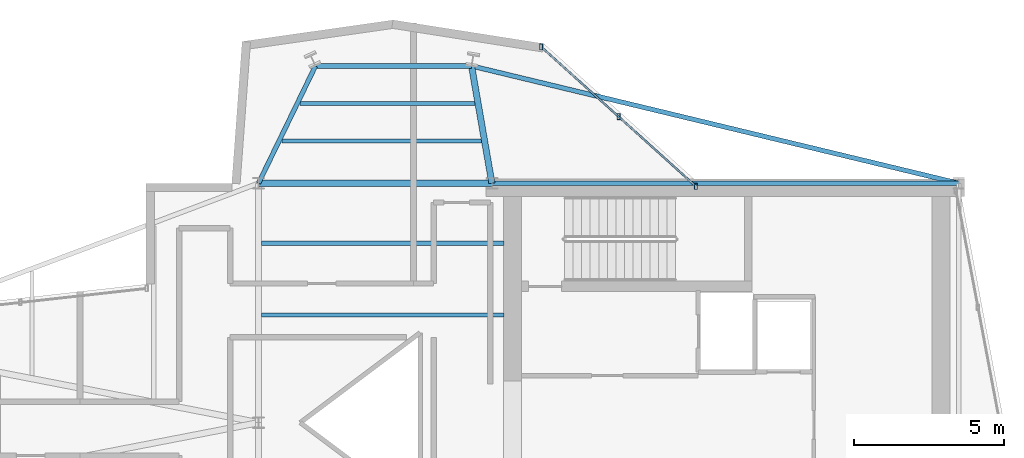
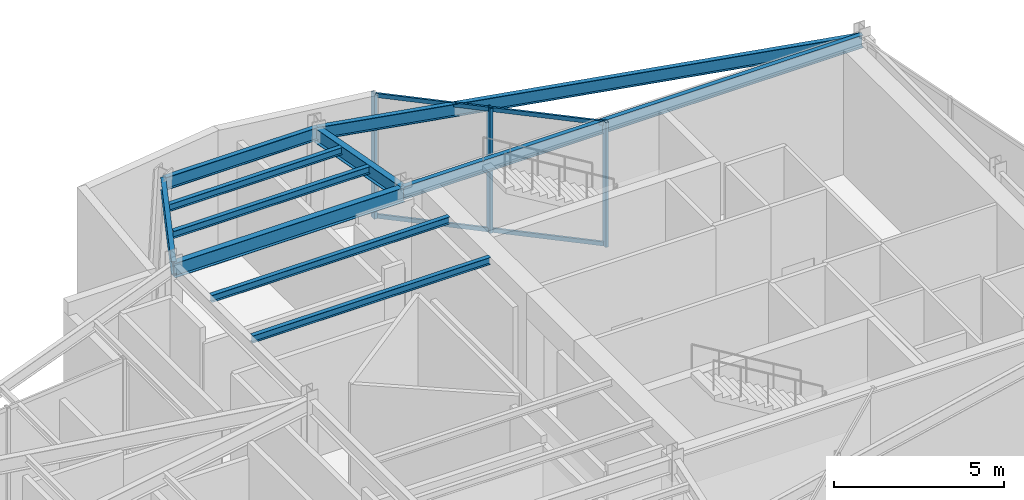
# One storey, part 5 of 11: 10 beams, 5 members, 1 element without a shape of its own.
"""IFC4 building model written with IfcOpenShell, lengths in metres."""

from ifc_helpers import new_model, si_unit, direction, frame, origin, origin_2d, place, context, subcontext, project, spatial, hollow_rectangle, i_section, extrude, material, layer, layer_set, material_profile, profile_set, type_object, element, aggregate, save


model = new_model("IFC4")

# Units and contexts
model_context = context("Model", 3, precision=1e-05, world=origin(), true_north=direction((0.0, 1.0)))
body_context = subcontext(model_context, "Body", "Model", "MODEL_VIEW")
ifc_project = project(units=[si_unit("LENGTHUNIT", "METRE"), si_unit("AREAUNIT", "SQUARE_METRE"), si_unit("VOLUMEUNIT", "CUBIC_METRE"), si_unit("PLANEANGLEUNIT", "RADIAN"), si_unit("MASSUNIT", "GRAM", prefix="KILO")], contexts=[model_context])

# Site, building, storey
site_placement = place(None, origin())
site = spatial("IfcSite", under=ifc_project, at=site_placement, CompositionType="ELEMENT")
building_placement = place(site_placement, origin())
building = spatial("IfcBuilding", under=site, at=building_placement, Name="Veymaron Broadcast Tower", CompositionType="ELEMENT")
storey_placement = place(building_placement, frame((0.0, 0.0, 327.60009765625)))
storey = spatial("IfcBuildingStorey", under=building, at=storey_placement, Name="L77", CompositionType="ELEMENT", Elevation=327.60009765625)

# Beams
ifc_material_1 = material(Name="Structural steel ASTM A992 Gr 50", Category="steel")
ifc_material_profile_1 = material_profile(ifc_material_1, i_section(OverallWidth=0.208984375, OverallDepth=0.528076171875, WebThickness=0.009521484375, FlangeThickness=0.01318359375, at=origin_2d()), Name="W530X82")
ifc_profile_set_1 = profile_set([ifc_material_profile_1], Name="Structural steel ASTM A992 Gr 50")
beam_type_1 = type_object("IfcBeamType", Name="BM-FG4", PredefinedType="BEAM", material=ifc_profile_set_1)
beam_1_placement = place(storey_placement, frame((31.199951171875, 32.0, 4.2158203125), z_axis=(1.0, 0.0, 0.0), x_axis=(0.0, 1.0, 0.0)))
element("IfcBeam", 1, at=beam_1_placement, inside=storey, type_object=beam_type_1, Name="L77 primary structural floor girder", PredefinedType="BEAM", context=body_context, shape_type="SweptSolid", body=[
    extrude(i_section(OverallWidth=0.208984375, OverallDepth=0.528076171875, WebThickness=0.009521484375, FlangeThickness=0.01318359375, at=origin_2d()), origin(), (0.0, 0.0, 1.0), 7.800048828125),
])
beam_2_placement = place(storey_placement, frame((39.0, 32.0, 4.2158203125), z_axis=(-0.170903490874, 0.985287773601, 0.0), x_axis=(-0.985287773601, -0.170903490874, 0.0)))
element("IfcBeam", 2, at=beam_2_placement, inside=storey, type_object=beam_type_1, Name="L77 primary structural floor girder", PredefinedType="BEAM", context=body_context, shape_type="SweptSolid", body=[
    extrude(i_section(OverallWidth=0.208984375, OverallDepth=0.528076171875, WebThickness=0.009521484375, FlangeThickness=0.01318359375, at=origin_2d()), origin(), (0.0, 0.0, 1.0), 3.978515625),
])
ifc_material_profile_2 = material_profile(ifc_material_1, i_section(OverallWidth=0.14599609375, OverallDepth=0.258056640625, WebThickness=0.006103515625, FlangeThickness=0.009033203125, at=origin_2d()), Name="W250X33")
ifc_profile_set_2 = profile_set([ifc_material_profile_2], Name="Structural steel ASTM A992 Gr 50")
beam_type_2 = type_object("IfcBeamType", Name="BM-JS4", PredefinedType="JOIST", material=ifc_profile_set_2)
beam_3_placement = place(storey_placement, frame((31.9853515625, 33.4111328125, 4.350830078125), z_axis=(1.0, 0.0, 0.0), x_axis=(0.0, 1.0, 0.0)))
element("IfcBeam", 3, at=beam_3_placement, inside=storey, type_object=beam_type_2, Name="L77 Arm-B secondary joist 1", PredefinedType="JOIST", context=body_context, shape_type="SweptSolid", body=[
    extrude(i_section(OverallWidth=0.14599609375, OverallDepth=0.258056640625, WebThickness=0.006103515625, FlangeThickness=0.009033203125, at=origin_2d()), origin(), (0.0, 0.0, 1.0), 6.669921875),
])
beam_4_placement = place(storey_placement, frame((32.5947265625, 34.66552734375, 4.350830078125), z_axis=(1.0, 0.0, 0.0), x_axis=(0.0, 1.0, 0.0)))
element("IfcBeam", 4, at=beam_4_placement, inside=storey, type_object=beam_type_2, Name="L77 Arm-B secondary joist 2", PredefinedType="JOIST", context=body_context, shape_type="SweptSolid", body=[
    extrude(i_section(OverallWidth=0.14599609375, OverallDepth=0.258056640625, WebThickness=0.006103515625, FlangeThickness=0.009033203125, at=origin_2d()), origin(), (0.0, 0.0, 1.0), 5.8427734375),
])
for number, where, z_axis, x_axis, name in (
    (5, (31.300048828125, 27.60009765625, 4.350830078125), (1.0, 0.0, 0.0), (0.0, 1.0, 0.0), "L77 Hub secondary joist 3"),
    (6, (31.300048828125, 30.0, 4.350830078125), (1.0, 0.0, 0.0), (0.0, 1.0, 0.0), "L77 Hub secondary joist 4"),
):
    element("IfcBeam", number, at=place(storey_placement, frame(where, z_axis=z_axis, x_axis=x_axis)), inside=storey, type_object=beam_type_2, Name=name, PredefinedType="JOIST", context=body_context, shape_type="SweptSolid", body=[
        extrude(i_section(OverallWidth=0.14599609375, OverallDepth=0.258056640625, WebThickness=0.006103515625, FlangeThickness=0.009033203125, at=origin_2d()), origin(), (0.0, 0.0, 1.0), 8.099853515625),
    ])
ifc_material_profile_3 = material_profile(ifc_material_1, i_section(OverallWidth=0.154052734375, OverallDepth=0.458984375, WebThickness=0.009033203125, FlangeThickness=0.015380859375, at=origin_2d()), Name="W460X68")
ifc_profile_set_3 = profile_set([ifc_material_profile_3], Name="Structural steel ASTM A992 Gr 50")
beam_type_3 = type_object("IfcBeamType", Name="BM-SP2", PredefinedType="SPANDREL", material=ifc_profile_set_3)
beam_5_placement = place(storey_placement, frame((39.0, 32.0, 4.25048828125), z_axis=(1.0, 0.0, 0.0), x_axis=(0.0, 1.0, 0.0)))
element("IfcBeam", 7, at=beam_5_placement, inside=storey, type_object=beam_type_3, Name="L77 primary structural floor girder", PredefinedType="SPANDREL", context=body_context, shape_type="SweptSolid", body=[
    extrude(i_section(OverallWidth=0.154052734375, OverallDepth=0.458984375, WebThickness=0.009033203125, FlangeThickness=0.015380859375, at=origin_2d()), origin(), (0.0, 0.0, 1.0), 15.60009765625),
])
beam_6_placement = place(storey_placement, frame((31.199951171875, 32.0, 4.25048828125), z_axis=(0.436920799064, 0.899499980737, 0.0), x_axis=(-0.899499980737, 0.436920799064, 0.0)))
element("IfcBeam", 8, at=beam_6_placement, inside=storey, type_object=beam_type_3, Name="L77 primary structural floor girder", PredefinedType="SPANDREL", context=body_context, shape_type="SweptSolid", body=[
    extrude(i_section(OverallWidth=0.154052734375, OverallDepth=0.458984375, WebThickness=0.009033203125, FlangeThickness=0.015380859375, at=origin_2d()), origin(), (0.0, 0.0, 1.0), 4.35791015625),
])
beam_7_placement = place(storey_placement, frame((54.60009765625, 32.0, 4.25048828125), z_axis=(-0.972214727981, 0.23409084283, 0.0), x_axis=(-0.23409084283, -0.972214727981, 0.0)))
element("IfcBeam", 9, at=beam_7_placement, inside=storey, type_object=beam_type_3, Name="L77 primary structural floor girder", PredefinedType="SPANDREL", context=body_context, shape_type="SweptSolid", body=[
    extrude(i_section(OverallWidth=0.154052734375, OverallDepth=0.458984375, WebThickness=0.009033203125, FlangeThickness=0.015380859375, at=origin_2d()), origin(), (0.0, 0.0, 1.0), 16.745361328125),
])
beam_8_placement = place(storey_placement, frame((33.10400390625, 35.919921875, 4.25048828125), z_axis=(1.0, 0.0, 0.0), x_axis=(0.0, 1.0, 0.0)))
element("IfcBeam", 10, at=beam_8_placement, inside=storey, type_object=beam_type_3, Name="L77 primary structural floor girder", PredefinedType="SPANDREL", context=body_context, shape_type="SweptSolid", body=[
    extrude(i_section(OverallWidth=0.154052734375, OverallDepth=0.458984375, WebThickness=0.009033203125, FlangeThickness=0.015380859375, at=origin_2d()), origin(), (0.0, 0.0, 1.0), 5.216064453125),
])

# Curtain wall, members
ifc_material_2 = material(Name="Anodised aluminium AA 6063-T6 and laminated low-E dark glass", Category="aluminium")
ifc_layer = layer(ifc_material_2, 0.179931640625)
ifc_layer_set = layer_set([ifc_layer], Name="Anodised aluminium AA 6063-T6 and laminated low-E dark glass")
curtain_wall_type = type_object("IfcCurtainWallType", Name="CW-SYS-07", PredefinedType="NOTDEFINED", material=ifc_layer_set)
curtain_wall_placement = place(storey_placement, origin())
curtain_wall = element("IfcCurtainWall", 11, at=curtain_wall_placement, inside=storey, type_object=curtain_wall_type, Name="L77 dark-glass curtain wall CW-L77-E5-1", PredefinedType="NOTDEFINED")
ifc_material_3 = material(Name="Anodised aluminium AA 6063-T6", Category="aluminium")
ifc_material_profile_4 = material_profile(ifc_material_3, hollow_rectangle(XDim=0.10009765625, YDim=0.199951171875, WallThickness=0.010009765625, at=origin_2d()), Name="RHS200X100X10")
ifc_profile_set_4 = profile_set([ifc_material_profile_4], Name="Anodised aluminium AA 6063-T6")
member_type_1 = type_object("IfcMemberType", Name="CW-MUL-01", PredefinedType="MULLION", material=ifc_profile_set_4)
member_1_placement = place(storey_placement, frame((45.81884765625, 31.89599609375, 0.0), z_axis=(0.0, 0.0, 1.0), x_axis=(1.0, 0.0, 0.0)))
member_1 = element("IfcMember", 12, at=member_1_placement, type_object=member_type_1, Name="CW-L77-E5-1 mullion 0", PredefinedType="MULLION", context=body_context, shape_type="SweptSolid", body=[
    extrude(hollow_rectangle(XDim=0.10009765625, YDim=0.199951171875, WallThickness=0.010009765625, at=origin_2d()), origin(), (0.0, 0.0, 1.0), 4.47998046875),
])
member_2_placement = place(storey_placement, frame((43.232177734375, 34.22802734375, 0.0), z_axis=(0.0, 0.0, 1.0), x_axis=(1.0, 0.0, 0.0)))
member_2 = element("IfcMember", 13, at=member_2_placement, type_object=member_type_1, Name="CW-L77-E5-1 mullion 1", PredefinedType="MULLION", context=body_context, shape_type="SweptSolid", body=[
    extrude(hollow_rectangle(XDim=0.10009765625, YDim=0.199951171875, WallThickness=0.010009765625, at=origin_2d()), origin(), (0.0, 0.0, 1.0), 4.47998046875),
])
member_3_placement = place(storey_placement, frame((40.6455078125, 36.56005859375, 0.0), z_axis=(0.0, 0.0, 1.0), x_axis=(1.0, 0.0, 0.0)))
member_3 = element("IfcMember", 14, at=member_3_placement, type_object=member_type_1, Name="CW-L77-E5-1 mullion 2", PredefinedType="MULLION", context=body_context, shape_type="SweptSolid", body=[
    extrude(hollow_rectangle(XDim=0.10009765625, YDim=0.199951171875, WallThickness=0.010009765625, at=origin_2d()), origin(), (0.0, 0.0, 1.0), 4.47998046875),
])
ifc_material_profile_5 = material_profile(ifc_material_3, hollow_rectangle(XDim=0.06494140625, YDim=0.14990234375, WallThickness=0.00390625, at=origin_2d()), Name="AL150X65X4")
ifc_profile_set_5 = profile_set([ifc_material_profile_5], Name="Anodised aluminium AA 6063-T6")
member_type_2 = type_object("IfcMemberType", Name="CW-TRN-01", PredefinedType="USERDEFINED", material=ifc_profile_set_5)
member_4_placement = place(storey_placement, frame((45.78173828125, 31.929443359375, 0.06982421875), z_axis=(-0.742717435914, 0.669604965923, 0.0), x_axis=(-0.669604965923, -0.742717435914, 0.0)))
member_4 = element("IfcMember", 15, at=member_4_placement, type_object=member_type_2, Name="CW-L77-E5-1 transom B", ObjectType="TRANSOM", PredefinedType="USERDEFINED", context=body_context, shape_type="SweptSolid", body=[
    extrude(hollow_rectangle(XDim=0.06494140625, YDim=0.14990234375, WallThickness=0.00390625, at=origin_2d()), origin(), (0.0, 0.0, 1.0), 6.865478515625),
])
member_5_placement = place(storey_placement, frame((45.78173828125, 31.929443359375, 4.409912109375), z_axis=(-0.742717435914, 0.669604965923, 0.0), x_axis=(-0.669604965923, -0.742717435914, 0.0)))
member_5 = element("IfcMember", 16, at=member_5_placement, type_object=member_type_2, Name="CW-L77-E5-1 transom T", ObjectType="TRANSOM", PredefinedType="USERDEFINED", context=body_context, shape_type="SweptSolid", body=[
    extrude(hollow_rectangle(XDim=0.06494140625, YDim=0.14990234375, WallThickness=0.00390625, at=origin_2d()), origin(), (0.0, 0.0, 1.0), 6.865478515625),
])
aggregate(curtain_wall, [member_1, member_2, member_3, member_4, member_5])

save(model, "model.ifc")
